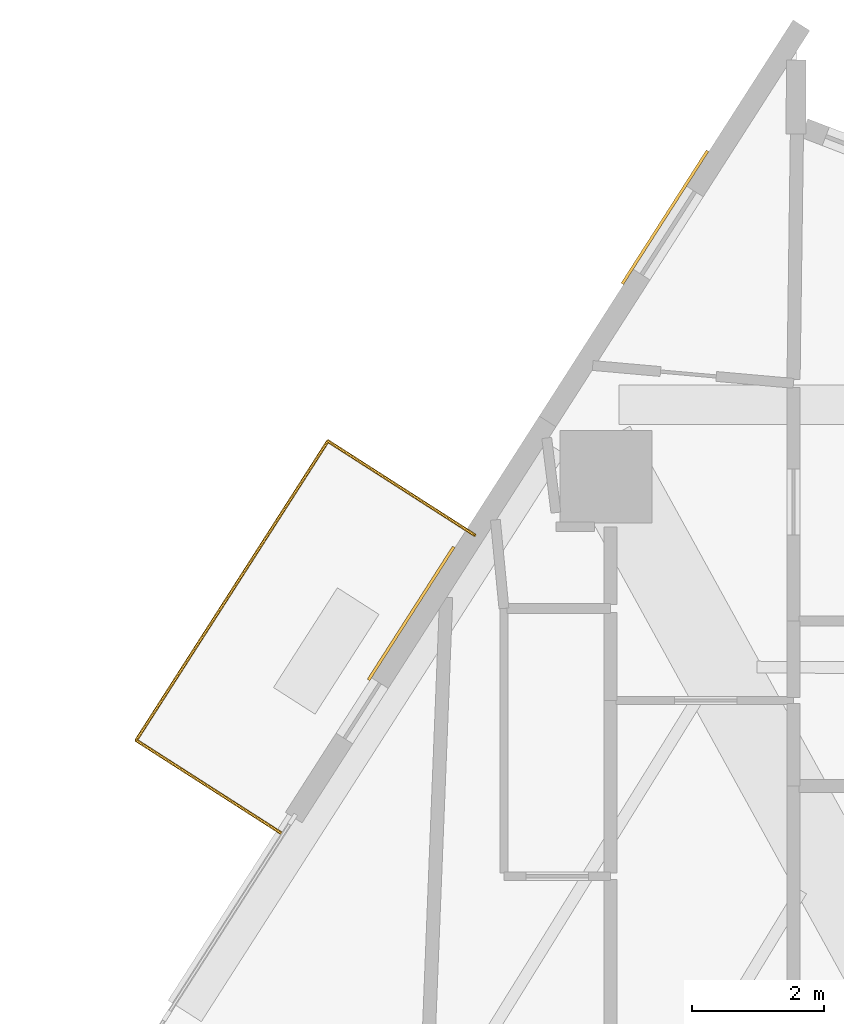
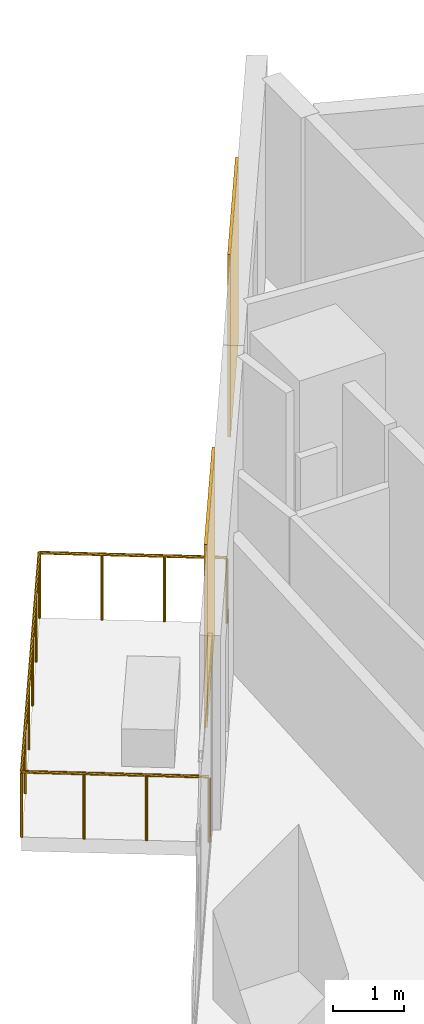
# One storey, part 13 of 13: 2 coverings, 1 railing.
"""IFC4 building model written with IfcOpenShell, lengths in metres."""

from ifc_helpers import new_model, si_unit, direction, frame, origin, origin_2d, place, context, subcontext, project, spatial, rectangle, circle, extrude, material, layer, layer_set, type_object, element, save


model = new_model("IFC4")

# Units and contexts
model_context = context("Model", 3, precision=1e-05, world=origin(), true_north=direction((0.0, 1.0)))
body_context = subcontext(model_context, "Body", "Model", "MODEL_VIEW")
ifc_project = project(units=[si_unit("LENGTHUNIT", "METRE"), si_unit("AREAUNIT", "SQUARE_METRE"), si_unit("VOLUMEUNIT", "CUBIC_METRE"), si_unit("PLANEANGLEUNIT", "RADIAN"), si_unit("MASSUNIT", "GRAM", prefix="KILO")], contexts=[model_context])

# Site, building, storey
site_placement = place(None, origin())
site = spatial("IfcSite", under=ifc_project, at=site_placement, CompositionType="ELEMENT")
building_placement = place(site_placement, origin())
building = spatial("IfcBuilding", under=site, at=building_placement, Name="Almagre Mirador Tower", CompositionType="ELEMENT")
storey_placement = place(building_placement, frame((0.0, 0.0, 53.39990234375)))
storey = spatial("IfcBuildingStorey", under=building, at=storey_placement, Name="L12", CompositionType="ELEMENT", Elevation=53.39990234375)

# Coverings
ifc_material_1 = material(Name="Almagre terracotta architectural cladding", Category="masonry")
ifc_layer = layer(ifc_material_1, 0.044921875)
ifc_layer_set = layer_set([ifc_layer], Name="Almagre terracotta architectural cladding")
covering_type = type_object("IfcCoveringType", Name="COV-CLAD-ALMAGRE", PredefinedType="CLADDING", material=ifc_layer_set)
for number, where, z_axis, x_axis, name in (
    (1, (27.639892578125, 36.2041015625, 0.10009765625), (0.0, 0.0, 1.0), (0.539520453445, 0.841972493799, 0.0), "L12 almagre terracotta pier cladding"),
    (2, (31.496826171875, 42.223388671875, 0.10009765625), (0.0, 0.0, 1.0), (0.539520453445, 0.841972493799, 0.0), "L12 almagre terracotta pier cladding"),
):
    element("IfcCovering", number, at=place(storey_placement, frame(where, z_axis=z_axis, x_axis=x_axis)), inside=storey, type_object=covering_type, Name=name, PredefinedType="CLADDING", context=body_context, shape_type="SweptSolid", body=[
        extrude(rectangle(XDim=2.39990234375, YDim=0.044921875, at=origin_2d()), origin(), (0.0, 0.0, 1.0), 3.14990234375),
    ])

# Railing
ifc_material_2 = material(Name="Black anodized aluminium", Category="aluminium")
railing_type = type_object("IfcRailingType", Name="RLG-BAL-1150", PredefinedType="BALUSTRADE", material=ifc_material_2)
railing_placement = place(storey_placement, frame((28.60693359375, 37.39306640625, 0.0)))
element("IfcRailing", 3, at=railing_placement, inside=storey, type_object=railing_type, Name="L12 west balcony balustrade 2", PredefinedType="BALUSTRADE", context=body_context, shape_type="SweptSolid", body=[
    extrude(circle(Radius=0.02392578125, at=origin_2d()), frame((0.0, 0.0, 1.1259765625), z_axis=(-0.842015379792, 0.539453519957, 0.0), x_axis=(-0.539453519957, -0.842015379792, 0.0)), (0.0, 0.0, 1.0), 2.650634765625),
    extrude(circle(Radius=0.02392578125, at=origin_2d()), frame((-2.23193359375, 1.429931640625, 1.1259765625), z_axis=(-0.539438510145, -0.842024995931, 0.0), x_axis=(0.842024995931, -0.539438510145, 0.0)), (0.0, 0.0, 1.0), 5.400146484375),
    extrude(circle(Radius=0.02392578125, at=origin_2d()), frame((-5.14501953125, -3.1171875, 1.1259765625), z_axis=(0.84210234177, -0.539317759753, 0.0), x_axis=(0.539317759753, 0.84210234177, 0.0)), (0.0, 0.0, 1.0), 2.649658203125),
    extrude(circle(Radius=0.02099609375, at=origin_2d()), origin(), (0.0, 0.0, 1.0), 1.101806640625),
    extrude(circle(Radius=0.02099609375, at=origin_2d()), frame((-0.743896484375, 0.4765625, 0.0)), (0.0, 0.0, 1.0), 1.101806640625),
    extrude(circle(Radius=0.02099609375, at=origin_2d()), frame((-1.488037109375, 0.953369140625, 0.0)), (0.0, 0.0, 1.0), 1.101806640625),
    extrude(circle(Radius=0.02099609375, at=origin_2d()), frame((-2.23193359375, 1.429931640625, 0.0)), (0.0, 0.0, 1.0), 1.101806640625),
    extrude(circle(Radius=0.02099609375, at=origin_2d()), frame((-2.814453125, 0.5205078125, 0.0)), (0.0, 0.0, 1.0), 1.101806640625),
    extrude(circle(Radius=0.02099609375, at=origin_2d()), frame((-3.397216796875, -0.388916015625, 0.0)), (0.0, 0.0, 1.0), 1.101806640625),
    extrude(circle(Radius=0.02099609375, at=origin_2d()), frame((-3.979736328125, -1.29833984375, 0.0)), (0.0, 0.0, 1.0), 1.101806640625),
    extrude(circle(Radius=0.02099609375, at=origin_2d()), frame((-4.5625, -2.207763671875, 0.0)), (0.0, 0.0, 1.0), 1.101806640625),
    extrude(circle(Radius=0.02099609375, at=origin_2d()), frame((-5.14501953125, -3.1171875, 0.0)), (0.0, 0.0, 1.0), 1.101806640625),
    extrude(circle(Radius=0.02099609375, at=origin_2d()), frame((-4.4013671875, -3.593505859375, 0.0)), (0.0, 0.0, 1.0), 1.101806640625),
    extrude(circle(Radius=0.02099609375, at=origin_2d()), frame((-3.657470703125, -4.06982421875, 0.0)), (0.0, 0.0, 1.0), 1.101806640625),
    extrude(circle(Radius=0.02099609375, at=origin_2d()), frame((-2.913818359375, -4.546142578125, 0.0)), (0.0, 0.0, 1.0), 1.101806640625),
])

save(model, "model.ifc")
